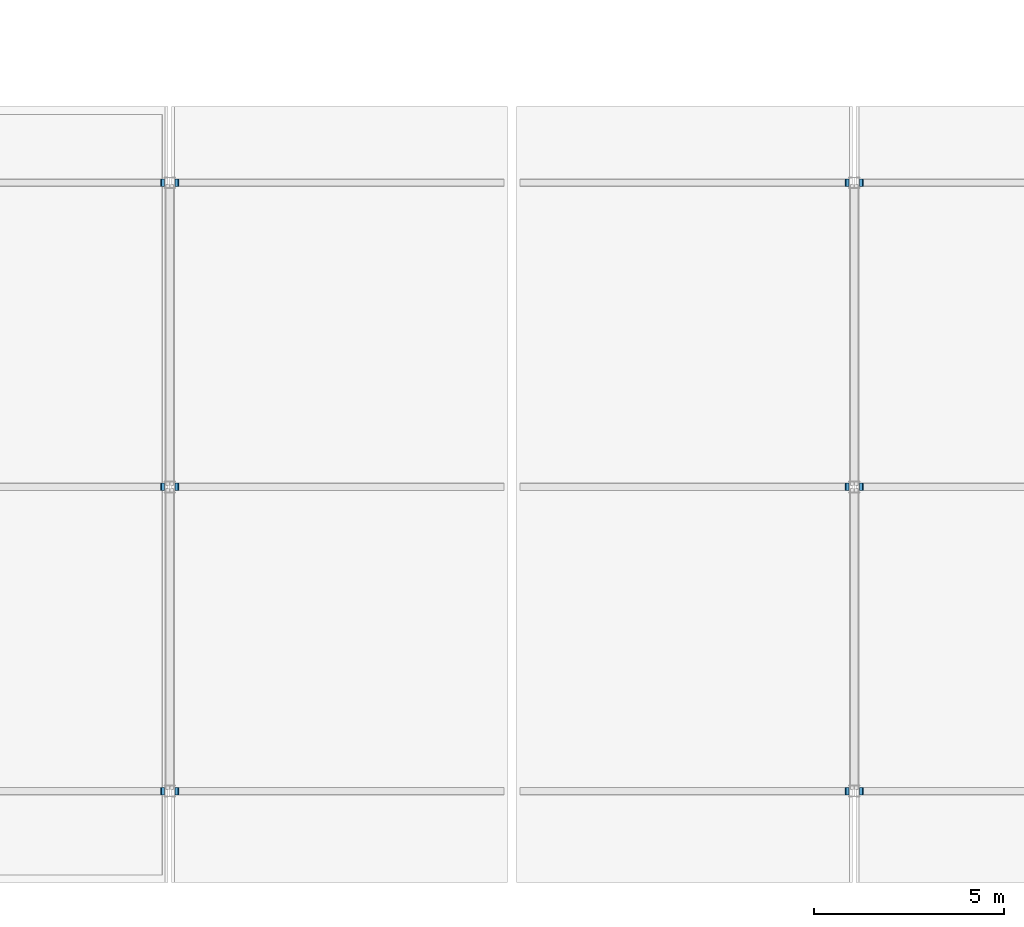
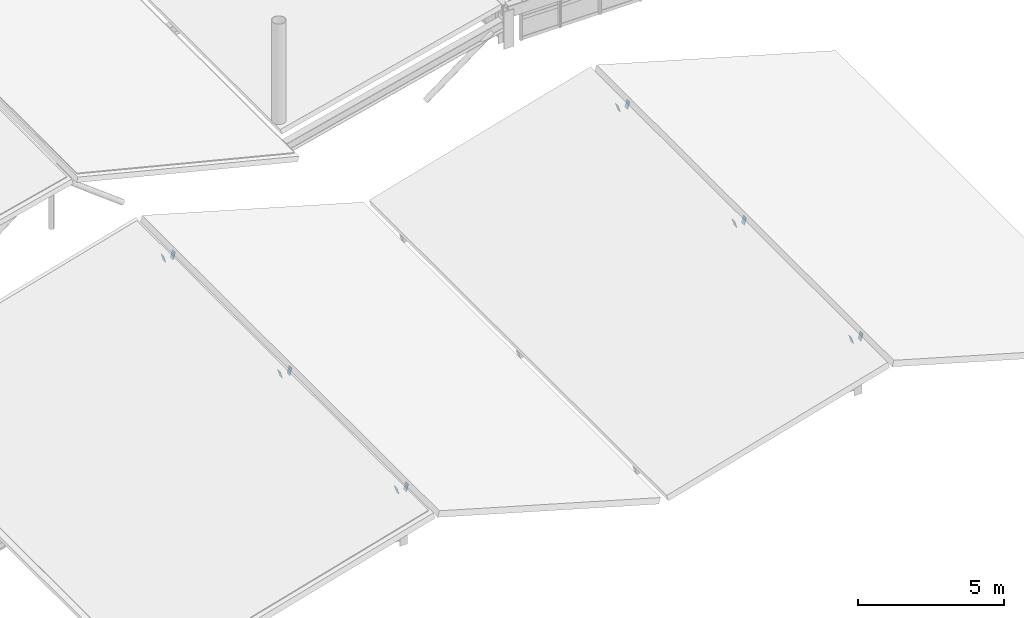
# One storey, part 115 of 128: 12 discrete accessories.
"""IFC4 building model written with IfcOpenShell, lengths in metres."""

import ifcopenshell
import ifcopenshell.guid

model = None  # the IFC model being written
_history = None  # IfcOwnerHistory: only IFC2X3 demands one
_inside = {}  # id of a spatial element -> (the spatial element, [elements in it])
_under = {}  # id of a project, library or spatial element -> (it, [spatial elements below it])
_declared = {}  # id of a project -> (the project, [libraries it declares])
_typed = {}  # id of a type object -> (the type object, [elements of that type])
_made_of = {}  # id of a material, layer set ... -> (it, [elements and type objects made of it])


def new_model(schema):
    """Start an empty IFC model of exactly this schema.

    Asked for "IFC4X3", IfcOpenShell would pick the latest addendum, in which some entities
    have other attributes; the version numbers below select the first issue.
    IFC2X3 requires an IfcOwnerHistory on every rooted entity: one is made here for all.
    """
    global model, _history
    if schema == "IFC4X3":
        model = ifcopenshell.file(schema_version=(4, 3, 0, 0))
    else:
        model = ifcopenshell.file(schema=schema)
    _inside.clear()
    _under.clear()
    _declared.clear()
    _typed.clear()
    _made_of.clear()
    _history = None
    if model.schema == "IFC2X3":
        org = make("IfcOrganization", Name="unknown")
        user = make(
            "IfcPersonAndOrganization",
            ThePerson=make("IfcPerson", FamilyName="unknown"),
            TheOrganization=org,
        )
        app = make(
            "IfcApplication",
            ApplicationDeveloper=org,
            Version="unknown",
            ApplicationFullName="unknown",
            ApplicationIdentifier="unknown",
        )
        _history = make(
            "IfcOwnerHistory",
            OwningUser=user,
            OwningApplication=app,
            ChangeAction="ADDED",
            CreationDate=0,
        )
    return model


def make(cls, **values):
    """One entity of the class cls with the attributes given. An attribute that is None is left unset."""
    return model.create_entity(
        cls, **{name: value for name, value in values.items() if value is not None}
    )


def rooted(cls, **values):
    """An entity with a GlobalId (a new one), such as an element, a storey or a relation."""
    return make(cls, GlobalId=ifcopenshell.guid.new(), OwnerHistory=_history, **values)


def si_unit(unit_type, name, prefix=None):
    """IfcSIUnit, for example si_unit("LENGTHUNIT", "METRE", prefix="MILLI")."""
    return make("IfcSIUnit", UnitType=unit_type, Prefix=prefix, Name=name)


def derived_unit(unit_type, elements):
    """IfcDerivedUnit: a product of units, each with its exponent."""
    return make(
        "IfcDerivedUnit",
        Elements=[
            make("IfcDerivedUnitElement", Unit=unit, Exponent=power)
            for unit, power in elements
        ],
        UnitType=unit_type,
    )


def assignment(units):
    """IfcUnitAssignment: the units of a project."""
    return None if units is None else make("IfcUnitAssignment", Units=units)


def point(xyz):
    """IfcCartesianPoint."""
    return None if xyz is None else make("IfcCartesianPoint", Coordinates=xyz)


def direction(xyz):
    """IfcDirection."""
    return None if xyz is None else make("IfcDirection", DirectionRatios=xyz)


def frame(location, z_axis=None, x_axis=None):
    """IfcAxis2Placement3D, a coordinate frame: its origin and axes. An axis left out is left unset."""
    return make(
        "IfcAxis2Placement3D",
        Location=point(location),
        Axis=direction(z_axis),
        RefDirection=direction(x_axis),
    )


def frame_2d(location, x_axis=None):
    """IfcAxis2Placement2D, a coordinate frame in the plane: its origin and x axis."""
    return make(
        "IfcAxis2Placement2D", Location=point(location), RefDirection=direction(x_axis)
    )


def origin():
    """The frame at (0, 0, 0) with its axes left unset."""
    return frame((0.0, 0.0, 0.0))


def origin_2d():
    """The frame at (0, 0) in the plane with its x axis left unset."""
    return frame_2d((0.0, 0.0))


def place(relative_to, where):
    """IfcLocalPlacement: puts the frame where relative to a parent placement (None: the world)."""
    return make(
        "IfcLocalPlacement", PlacementRelTo=relative_to, RelativePlacement=where
    )


def context(
    kind, dimensions, precision=None, world=None, true_north=None, identifier=None
):
    """IfcGeometricRepresentationContext, for example the 3D "Model" context."""
    return make(
        "IfcGeometricRepresentationContext",
        ContextIdentifier=identifier,
        ContextType=kind,
        CoordinateSpaceDimension=dimensions,
        Precision=precision,
        WorldCoordinateSystem=world,
        TrueNorth=true_north,
    )


def subcontext(parent, identifier, kind, view, scale=None):
    """IfcGeometricRepresentationSubContext, for example "Body" below "Model"."""
    return make(
        "IfcGeometricRepresentationSubContext",
        ContextIdentifier=identifier,
        ContextType=kind,
        ParentContext=parent,
        TargetScale=scale,
        TargetView=view,
    )


def project(units=None, contexts=None):
    """IfcProject with its units and contexts."""
    return rooted(
        "IfcProject",
        Name="project",
        RepresentationContexts=contexts,
        UnitsInContext=assignment(units),
    )


def spatial(cls, under=None, at=None, **own):
    """A site, building, storey or space (cls), placed at a placement, below another one or the project."""
    s = rooted(cls, ObjectPlacement=at, **own)
    if under is not None:
        _under.setdefault(under.id(), (under, []))[1].append(s)
    return s


def profile(cls, at=None, kind="AREA", **sizes):
    """A parametric profile (cls). Its sizes go by their IFC names, for example OverallWidth=200.0."""
    return make(cls, ProfileType=kind, Position=at, **sizes)


def rectangle(**sizes):
    """IfcRectangleProfileDef."""
    return profile("IfcRectangleProfileDef", **sizes)


def extrude(swept, where, along, depth):
    """IfcExtrudedAreaSolid: the profile swept, set in the frame where, extruded along a direction by depth."""
    return make(
        "IfcExtrudedAreaSolid",
        SweptArea=swept,
        Position=where,
        ExtrudedDirection=direction(along),
        Depth=depth,
    )


def shape(context_of_items, identifier, shape_type, items):
    """IfcShapeRepresentation: the items that make up one representation, for example the "Body"."""
    return make(
        "IfcShapeRepresentation",
        ContextOfItems=context_of_items,
        RepresentationIdentifier=identifier,
        RepresentationType=shape_type,
        Items=items,
    )


def material(Name=None, Category=None):
    """IfcMaterial."""
    return make("IfcMaterial", Name=Name, Category=Category)


def made_of(thing, what):
    """Note that an element or type object is made of a material, layer set ...; save() writes the relation."""
    if what is not None:
        _made_of.setdefault(what.id(), (what, []))[1].append(thing)
    return thing


def type_object(cls, material=None, **own):
    """A type object (cls), such as IfcWallType, which elements share."""
    return made_of(rooted(cls, **own), material)


def element(
    cls,
    number,
    at=None,
    inside=None,
    cuts=None,
    type_object=None,
    material=None,
    context=None,
    identifier="Body",
    shape_type=None,
    held_by="IfcProductDefinitionShape",
    body=None,
    shapes=None,
    **own,
):
    """One element of the class cls, such as IfcWall. Its Tag is "e" and its number.

    at: its placement. inside: the storey or other place that contains it. cuts: it is an
    opening in that element (IfcRelVoidsElement). A single representation is given by context,
    identifier, shape_type and body (its items); several are given by shapes. held_by: the class
    of the entity that holds the representations. save() writes the other relations.
    """
    e = rooted(cls, Tag="e%d" % number, ObjectPlacement=at, **own)
    if body is not None:
        shapes = [shape(context, identifier, shape_type, body)]
    if shapes is not None:
        e.Representation = make(held_by, Representations=shapes)
    if inside is not None:
        _inside.setdefault(inside.id(), (inside, []))[1].append(e)
    if cuts is not None:
        rooted(
            "IfcRelVoidsElement", RelatingBuildingElement=cuts, RelatedOpeningElement=e
        )
    if type_object is not None:
        _typed.setdefault(type_object.id(), (type_object, []))[1].append(e)
    return made_of(e, material)


def aggregate(whole, parts):
    """IfcRelAggregates: a whole, such as a stair, and the parts it consists of."""
    return rooted("IfcRelAggregates", RelatingObject=whole, RelatedObjects=parts)


def save(model, path):
    """Write the relations noted so far, then the file.

    IfcRelAggregates (storeys below a building ...), IfcRelContainedInSpatialStructure (elements
    in a storey), IfcRelDefinesByType, IfcRelAssociatesMaterial and IfcRelDeclares: one each for
    every whole, place, type object, material and project.
    """
    for whole, parts in _under.values():
        aggregate(whole, parts)
    for where, things in _inside.values():
        rooted(
            "IfcRelContainedInSpatialStructure",
            RelatedElements=things,
            RelatingStructure=where,
        )
    for kind, things in _typed.values():
        rooted("IfcRelDefinesByType", RelatedObjects=things, RelatingType=kind)
    for what, things in _made_of.values():
        rooted("IfcRelAssociatesMaterial", RelatedObjects=things, RelatingMaterial=what)
    for by, libraries in _declared.values():
        rooted("IfcRelDeclares", RelatingContext=by, RelatedDefinitions=libraries)
    model.write(path)


model = new_model("IFC4")

# Units and contexts
model_context = context("Model", 3, precision=1e-05, world=origin(), true_north=direction((0.0, 1.0)))
body_context = subcontext(model_context, "Body", "Model", "MODEL_VIEW")
ifc_project = project(units=[si_unit("LENGTHUNIT", "METRE"), si_unit("AREAUNIT", "SQUARE_METRE"), si_unit("VOLUMEUNIT", "CUBIC_METRE"), si_unit("PLANEANGLEUNIT", "RADIAN"), si_unit("MASSUNIT", "GRAM", prefix="KILO"), derived_unit("THERMALTRANSMITTANCEUNIT", [(si_unit("MASSUNIT", "GRAM", prefix="KILO"), 1), (si_unit("TIMEUNIT", "SECOND"), -3), (si_unit("THERMODYNAMICTEMPERATUREUNIT", "KELVIN"), -1)])], contexts=[model_context])

# Site, building, storey
site_placement = place(None, origin())
site = spatial("IfcSite", under=ifc_project, at=site_placement, CompositionType="ELEMENT")
building_placement = place(site_placement, origin())
building = spatial("IfcBuilding", under=site, at=building_placement, Name="Zhenchuan Archway Interchange", CompositionType="ELEMENT")
storey_placement = place(building_placement, frame((0.0, 0.0, 14.39990234375)))
storey = spatial("IfcBuildingStorey", under=building, at=storey_placement, Name="L03", CompositionType="ELEMENT", Elevation=14.39990234375)

# Discrete accessories
ifc_material = material(Name="Steel Q355", Category="steel")
discrete_accessory_type = type_object("IfcDiscreteAccessoryType", Name="CAP_MB_RHS300", PredefinedType="USERDEFINED", material=ifc_material)
for number, where, z_axis, x_axis, name in (
    (1, (8.800048828125, 0.0, 2.300048828125), (0.958896765154, 0.0, 0.283755165199), (0.0, 1.0, 0.0), "End plate at the end of Cycle Hub folded-plate rafter S-1"),
    (2, (9.176025390625, 0.0, 2.30712890625), (0.958896765154, 0.0, -0.283755165199), (0.0, 1.0, 0.0), "End plate at the start of Cycle Hub folded-plate rafter S-2"),
    (3, (26.800048828125, 0.0, 2.300048828125), (0.958896765154, 0.0, 0.283755165199), (0.0, 1.0, 0.0), "End plate at the end of Cycle Hub folded-plate rafter S-3"),
    (4, (27.176025390625, 0.0, 2.30712890625), (0.958896765154, 0.0, -0.283755165199), (0.0, 1.0, 0.0), "End plate at the start of Cycle Hub folded-plate rafter S-4"),
    (5, (8.800048828125, 8.0, 2.300048828125), (0.958896765154, 0.0, 0.283755165199), (0.0, 1.0, 0.0), "End plate at the end of Cycle Hub folded-plate rafter M-1"),
    (6, (9.176025390625, 8.0, 2.30712890625), (0.958896765154, 0.0, -0.283755165199), (0.0, 1.0, 0.0), "End plate at the start of Cycle Hub folded-plate rafter M-2"),
    (7, (26.800048828125, 8.0, 2.300048828125), (0.958896765154, 0.0, 0.283755165199), (0.0, 1.0, 0.0), "End plate at the end of Cycle Hub folded-plate rafter M-3"),
    (8, (27.176025390625, 8.0, 2.30712890625), (0.958896765154, 0.0, -0.283755165199), (0.0, 1.0, 0.0), "End plate at the start of Cycle Hub folded-plate rafter M-4"),
    (9, (8.800048828125, 16.0, 2.300048828125), (0.958896765154, 0.0, 0.283755165199), (0.0, 1.0, 0.0), "End plate at the end of Cycle Hub folded-plate rafter N-1"),
    (10, (9.176025390625, 16.0, 2.30712890625), (0.958896765154, 0.0, -0.283755165199), (0.0, 1.0, 0.0), "End plate at the start of Cycle Hub folded-plate rafter N-2"),
    (11, (26.800048828125, 16.0, 2.300048828125), (0.958896765154, 0.0, 0.283755165199), (0.0, 1.0, 0.0), "End plate at the end of Cycle Hub folded-plate rafter N-3"),
    (12, (27.176025390625, 16.0, 2.30712890625), (0.958896765154, 0.0, -0.283755165199), (0.0, 1.0, 0.0), "End plate at the start of Cycle Hub folded-plate rafter N-4"),
):
    element("IfcDiscreteAccessory", number, at=place(storey_placement, frame(where, z_axis=z_axis, x_axis=x_axis)), inside=storey, type_object=discrete_accessory_type, Name=name, ObjectType="END PLATE", PredefinedType="USERDEFINED", context=body_context, shape_type="SweptSolid", body=[
        extrude(rectangle(XDim=0.199951171875, YDim=0.300048828125, at=origin_2d()), origin(), (0.0, 0.0, 1.0), 0.02490234375),
    ])

save(model, "model.ifc")
